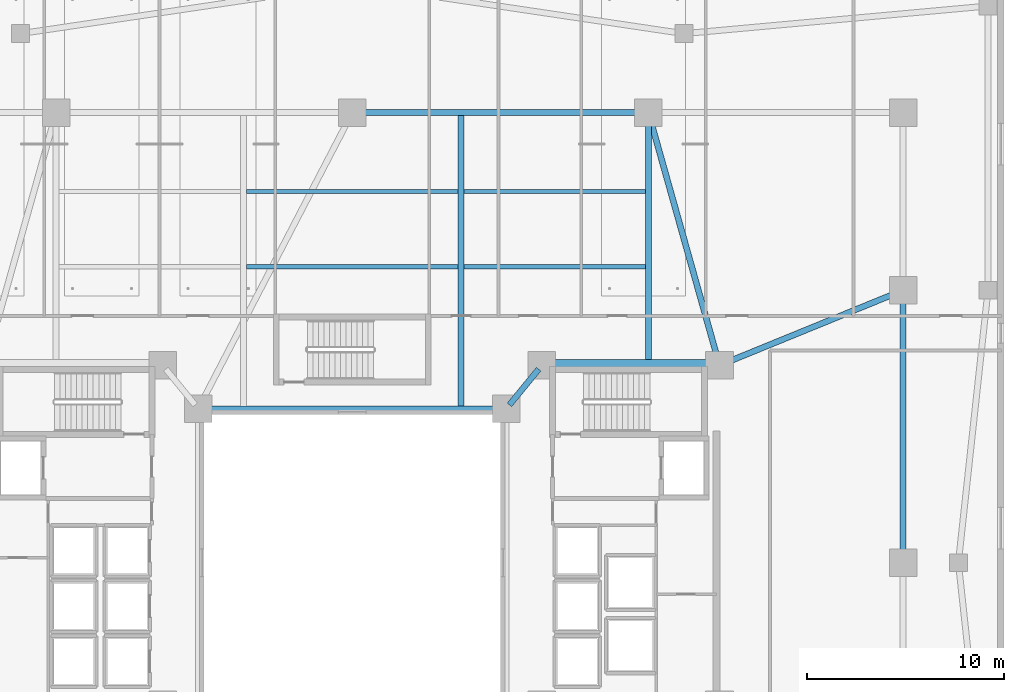
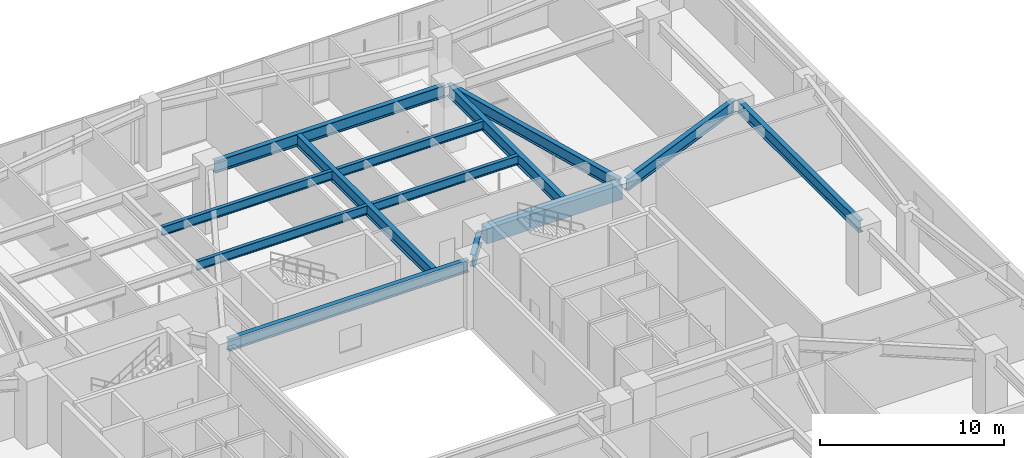
# One storey, part 11 of 29: 13 beams.
"""IFC4 building model written with IfcOpenShell, lengths in metres."""

from ifc_helpers import new_model, si_unit, direction, frame, origin, origin_2d, place, context, subcontext, project, spatial, rectangle, i_section, extrude, material, material_profile, profile_set, type_object, element, save


model = new_model("IFC4")

# Units and contexts
model_context = context("Model", 3, precision=1e-05, world=origin(), true_north=direction((0.0, 1.0)))
body_context = subcontext(model_context, "Body", "Model", "MODEL_VIEW")
ifc_project = project(units=[si_unit("LENGTHUNIT", "METRE"), si_unit("AREAUNIT", "SQUARE_METRE"), si_unit("VOLUMEUNIT", "CUBIC_METRE"), si_unit("PLANEANGLEUNIT", "RADIAN"), si_unit("MASSUNIT", "GRAM", prefix="KILO")], contexts=[model_context])

# Site, building, storey
site_placement = place(None, origin())
site = spatial("IfcSite", under=ifc_project, at=site_placement, CompositionType="ELEMENT")
building_placement = place(site_placement, origin())
building = spatial("IfcBuilding", under=site, at=building_placement, Name="Tarnavaz Court Tower", CompositionType="ELEMENT")
storey_placement = place(building_placement, frame((0.0, 0.0, 5.39990234375)))
storey = spatial("IfcBuildingStorey", under=building, at=storey_placement, Name="L01", CompositionType="ELEMENT", Elevation=5.39990234375)

# Beams
ifc_material_1 = material(Name="Concrete C60/75", Category="concrete")
ifc_material_profile_1 = material_profile(ifc_material_1, rectangle(XDim=0.60009765625, YDim=1.0, at=origin_2d()), Name="RC 600X1000")
ifc_profile_set_1 = profile_set([ifc_material_profile_1], Name="Concrete C60/75")
beam_type_1 = type_object("IfcBeamType", Name="BM-CB1000", PredefinedType="LINTEL", material=ifc_profile_set_1)
beam_1_placement = place(storey_placement, frame((18.35009765625, 10.0, 3.7001953125), z_axis=(-1.0, 0.0, 0.0), x_axis=(0.0, -1.0, 0.0)))
element("IfcBeam", 1, at=beam_1_placement, inside=storey, type_object=beam_type_1, Name="L01 Beam CE-NO-CE-NI", PredefinedType="LINTEL", context=body_context, shape_type="SweptSolid", body=[
    extrude(rectangle(XDim=0.60009765625, YDim=1.0, at=origin_2d()), origin(), (0.0, 0.0, 1.0), 8.5),
])
ifc_material_2 = material(Name="Steel S355", Category="steel")
ifc_material_profile_2 = material_profile(ifc_material_2, i_section(OverallWidth=0.300048828125, OverallDepth=0.800048828125, WebThickness=0.017578125, FlangeThickness=0.032958984375, FilletRadius=0.030029296875, at=origin_2d()), Name="HEB 800")
ifc_profile_set_2 = profile_set([ifc_material_profile_2], Name="Steel S355")
beam_type_2 = type_object("IfcBeamType", Name="BM-G-HEB800", PredefinedType="USERDEFINED", material=ifc_profile_set_2)
beam_2_placement = place(storey_placement, frame((-7.550048828125, 7.800048828125, 3.800048828125), z_axis=(1.0, 0.0, 0.0), x_axis=(0.0, 1.0, 0.0)))
element("IfcBeam", 2, at=beam_2_placement, inside=storey, type_object=beam_type_2, Name="L01 Beam IW-NW-IW-NE", ObjectType="GIRDER", PredefinedType="USERDEFINED", context=body_context, shape_type="SweptSolid", body=[
    extrude(i_section(OverallWidth=0.300048828125, OverallDepth=0.800048828125, WebThickness=0.017578125, FlangeThickness=0.032958984375, FilletRadius=0.030029296875, at=origin_2d()), origin(), (0.0, 0.0, 1.0), 15.10009765625),
])
beam_3_placement = place(storey_placement, frame((9.441650390625, 9.806396484375, 3.800048828125), z_axis=(-0.633249141033, -0.773948012066, 0.0), x_axis=(0.773948012066, -0.633249141033, 0.0)))
element("IfcBeam", 3, at=beam_3_placement, inside=storey, type_object=beam_type_2, Name="L01 Beam CE-NI-IW-NE", ObjectType="GIRDER", PredefinedType="USERDEFINED", context=body_context, shape_type="SweptSolid", body=[
    extrude(i_section(OverallWidth=0.300048828125, OverallDepth=0.800048828125, WebThickness=0.017578125, FlangeThickness=0.032958984375, FilletRadius=0.030029296875, at=origin_2d()), origin(), (0.0, 0.0, 1.0), 2.342529296875),
])
beam_4_placement = place(storey_placement, frame((0.25, 22.800048828125, 3.800048828125), z_axis=(1.0, 0.0, 0.0), x_axis=(0.0, 1.0, 0.0)))
element("IfcBeam", 4, at=beam_4_placement, inside=storey, type_object=beam_type_2, Name="L01 Beam PM-PM-N2-PM-N3", ObjectType="GIRDER", PredefinedType="USERDEFINED", context=body_context, shape_type="SweptSolid", body=[
    extrude(i_section(OverallWidth=0.300048828125, OverallDepth=0.800048828125, WebThickness=0.017578125, FlangeThickness=0.032958984375, FilletRadius=0.030029296875, at=origin_2d()), origin(), (0.0, 0.0, 1.0), 14.5),
])
beam_5_placement = place(storey_placement, frame((27.89990234375, 0.25, 3.800048828125), z_axis=(0.0, 1.0, 0.0), x_axis=(-1.0, 0.0, 0.0)))
element("IfcBeam", 5, at=beam_5_placement, inside=storey, type_object=beam_type_2, Name="L01 Beam PM-PM-E2-PM-E3", ObjectType="GIRDER", PredefinedType="USERDEFINED", context=body_context, shape_type="SweptSolid", body=[
    extrude(i_section(OverallWidth=0.300048828125, OverallDepth=0.800048828125, WebThickness=0.017578125, FlangeThickness=0.032958984375, FilletRadius=0.030029296875, at=origin_2d()), origin(), (0.0, 0.0, 1.0), 13.300048828125),
])
beam_6_placement = place(storey_placement, frame((18.5322265625, 10.24072265625, 3.800048828125), z_axis=(-0.270745024415, 0.962651095545, 0.0), x_axis=(-0.962651095545, -0.270745024415, 0.0)))
element("IfcBeam", 6, at=beam_6_placement, inside=storey, type_object=beam_type_2, Name="L01 Beam PM-CE-NO-PM-N3", ObjectType="GIRDER", PredefinedType="USERDEFINED", context=body_context, shape_type="SweptSolid", body=[
    extrude(i_section(OverallWidth=0.300048828125, OverallDepth=0.800048828125, WebThickness=0.017578125, FlangeThickness=0.032958984375, FilletRadius=0.030029296875, at=origin_2d()), origin(), (0.0, 0.0, 1.0), 12.796630859375),
])
beam_7_placement = place(storey_placement, frame((18.831298828125, 10.094482421875, 3.800048828125), z_axis=(0.925710630755, 0.378232505356, 0.0), x_axis=(-0.378232505356, 0.925710630755, 0.0)))
element("IfcBeam", 7, at=beam_7_placement, inside=storey, type_object=beam_type_2, Name="L01 Beam PM-CE-NO-PM-E3", ObjectType="GIRDER", PredefinedType="USERDEFINED", context=body_context, shape_type="SweptSolid", body=[
    extrude(i_section(OverallWidth=0.300048828125, OverallDepth=0.800048828125, WebThickness=0.017578125, FlangeThickness=0.032958984375, FilletRadius=0.030029296875, at=origin_2d()), origin(), (0.0, 0.0, 1.0), 9.546630859375),
])
beam_8_placement = place(storey_placement, frame((5.5, 7.840087890625, 3.800048828125), z_axis=(0.0, 1.0, 0.0), x_axis=(-1.0, 0.0, 0.0)))
element("IfcBeam", 8, at=beam_8_placement, inside=storey, type_object=beam_type_2, Name="L01 Beam PM-NS-NCE", ObjectType="GIRDER", PredefinedType="USERDEFINED", context=body_context, shape_type="SweptSolid", body=[
    extrude(i_section(OverallWidth=0.300048828125, OverallDepth=0.800048828125, WebThickness=0.017578125, FlangeThickness=0.032958984375, FilletRadius=0.030029296875, at=origin_2d()), origin(), (0.0, 0.0, 1.0), 14.919921875),
])
beam_9_placement = place(storey_placement, frame((15.0, 10.0400390625, 3.800048828125), z_axis=(0.0, 1.0, 0.0), x_axis=(-1.0, 0.0, 0.0)))
element("IfcBeam", 9, at=beam_9_placement, inside=storey, type_object=beam_type_2, Name="L01 Beam PM-NS-NE", ObjectType="GIRDER", PredefinedType="USERDEFINED", context=body_context, shape_type="SweptSolid", body=[
    extrude(i_section(OverallWidth=0.300048828125, OverallDepth=0.800048828125, WebThickness=0.017578125, FlangeThickness=0.032958984375, FilletRadius=0.030029296875, at=origin_2d()), origin(), (0.0, 0.0, 1.0), 12.719970703125),
])
ifc_material_profile_3 = material_profile(ifc_material_2, i_section(OverallWidth=0.219970703125, OverallDepth=0.60009765625, WebThickness=0.011962890625, FlangeThickness=0.01904296875, FilletRadius=0.02392578125, at=origin_2d()), Name="IPE 600")
ifc_profile_set_3 = profile_set([ifc_material_profile_3], Name="Steel S355")
beam_type_3 = type_object("IfcBeamType", Name="BM-J-IPE600", PredefinedType="JOIST", material=ifc_profile_set_3)
beam_10_placement = place(storey_placement, frame((-5.35009765625, 15.0, 3.900146484375), z_axis=(1.0, 0.0, 0.0), x_axis=(0.0, 1.0, 0.0)))
element("IfcBeam", 10, at=beam_10_placement, inside=storey, type_object=beam_type_3, Name="L01 Beam PJN-1-2", PredefinedType="JOIST", context=body_context, shape_type="SweptSolid", body=[
    extrude(i_section(OverallWidth=0.219970703125, OverallDepth=0.60009765625, WebThickness=0.011962890625, FlangeThickness=0.01904296875, FilletRadius=0.02392578125, at=origin_2d()), origin(), (0.0, 0.0, 1.0), 10.7001953125),
])
beam_11_placement = place(storey_placement, frame((5.64990234375, 15.0, 3.900146484375), z_axis=(1.0, 0.0, 0.0), x_axis=(0.0, 1.0, 0.0)))
element("IfcBeam", 11, at=beam_11_placement, inside=storey, type_object=beam_type_3, Name="L01 Beam PJN-1-3", PredefinedType="JOIST", context=body_context, shape_type="SweptSolid", body=[
    extrude(i_section(OverallWidth=0.219970703125, OverallDepth=0.60009765625, WebThickness=0.011962890625, FlangeThickness=0.01904296875, FilletRadius=0.02392578125, at=origin_2d()), origin(), (0.0, 0.0, 1.0), 9.2001953125),
])
beam_12_placement = place(storey_placement, frame((-5.35009765625, 18.800048828125, 3.900146484375), z_axis=(1.0, 0.0, 0.0), x_axis=(0.0, 1.0, 0.0)))
element("IfcBeam", 12, at=beam_12_placement, inside=storey, type_object=beam_type_3, Name="L01 Beam PJN-2-2", PredefinedType="JOIST", context=body_context, shape_type="SweptSolid", body=[
    extrude(i_section(OverallWidth=0.219970703125, OverallDepth=0.60009765625, WebThickness=0.011962890625, FlangeThickness=0.01904296875, FilletRadius=0.02392578125, at=origin_2d()), origin(), (0.0, 0.0, 1.0), 10.7001953125),
])
beam_13_placement = place(storey_placement, frame((5.64990234375, 18.800048828125, 3.900146484375), z_axis=(1.0, 0.0, 0.0), x_axis=(0.0, 1.0, 0.0)))
element("IfcBeam", 13, at=beam_13_placement, inside=storey, type_object=beam_type_3, Name="L01 Beam PJN-2-3", PredefinedType="JOIST", context=body_context, shape_type="SweptSolid", body=[
    extrude(i_section(OverallWidth=0.219970703125, OverallDepth=0.60009765625, WebThickness=0.011962890625, FlangeThickness=0.01904296875, FilletRadius=0.02392578125, at=origin_2d()), origin(), (0.0, 0.0, 1.0), 9.2001953125),
])

save(model, "model.ifc")
